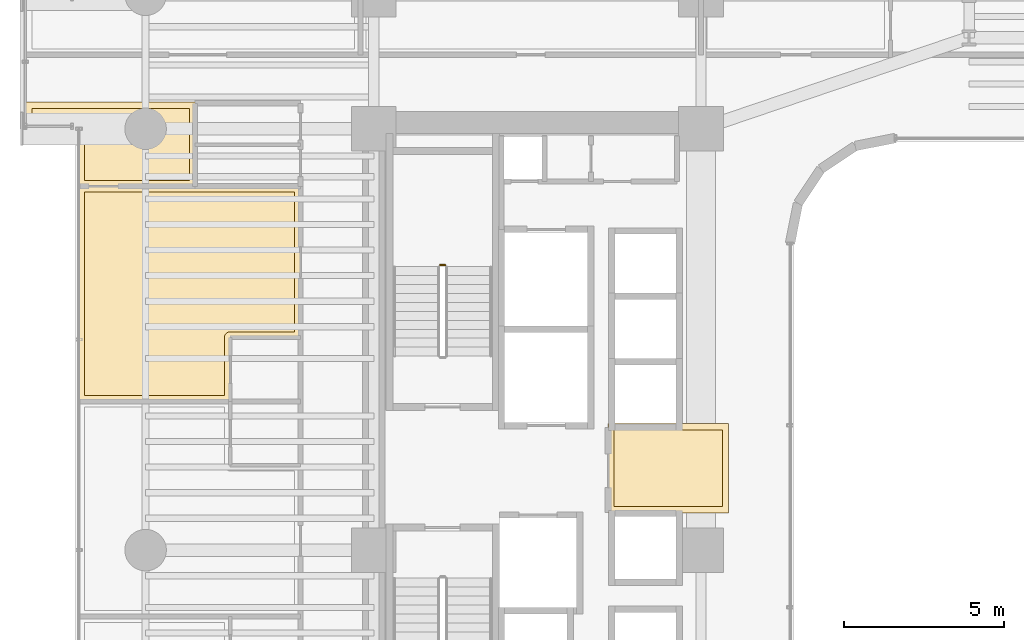
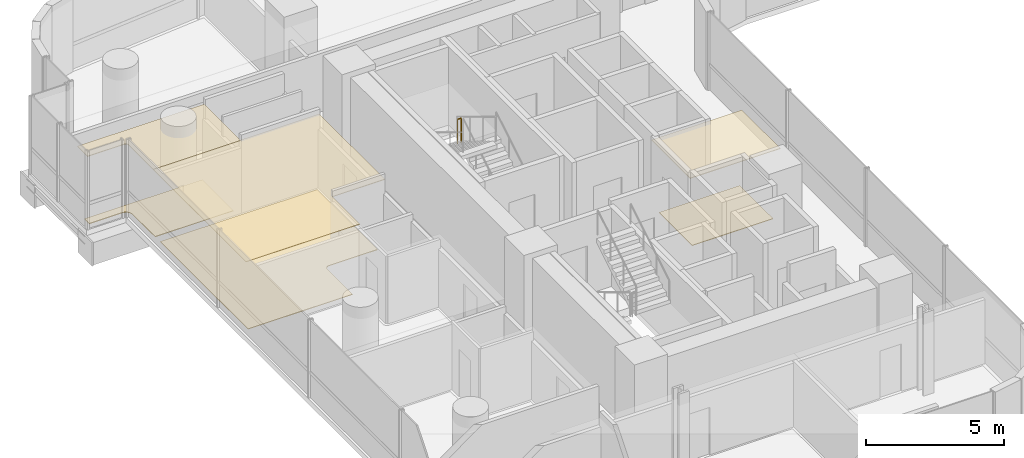
# One storey, part 38 of 41: 6 coverings, 1 railing.
"""IFC4 building model written with IfcOpenShell, lengths in metres."""

from ifc_helpers import new_model, si_unit, direction, frame, origin, origin_2d, place, context, subcontext, project, spatial, polyline, circle, outline, extrude, material, layer, layer_set, type_object, element, save


model = new_model("IFC4")

# Units and contexts
model_context = context("Model", 3, precision=1e-05, world=origin(), true_north=direction((0.0, 1.0)))
body_context = subcontext(model_context, "Body", "Model", "MODEL_VIEW")
ifc_project = project(units=[si_unit("LENGTHUNIT", "METRE"), si_unit("AREAUNIT", "SQUARE_METRE"), si_unit("VOLUMEUNIT", "CUBIC_METRE"), si_unit("PLANEANGLEUNIT", "RADIAN"), si_unit("MASSUNIT", "GRAM", prefix="KILO")], contexts=[model_context])

# Site, building, storey
site_placement = place(None, origin())
site = spatial("IfcSite", under=ifc_project, at=site_placement, CompositionType="ELEMENT")
building_placement = place(site_placement, origin())
building = spatial("IfcBuilding", under=site, at=building_placement, Name="Valdorenza Pilgrim Sanctuary Tower", CompositionType="ELEMENT")
storey_placement = place(building_placement, frame((0.0, 0.0, 88.89990234375)))
storey = spatial("IfcBuildingStorey", under=building, at=storey_placement, Name="L22", CompositionType="ELEMENT", Elevation=88.89990234375)

# Coverings
ifc_material_1 = material(Name="Micro-perforated acoustic mineral ceiling tile", Category="gypsum")
ifc_layer_1 = layer(ifc_material_1, 0.02490234375, Name="Micro-perforated acoustic mineral ceiling tile")
ifc_layer_set_1 = layer_set([ifc_layer_1], Name="Micro-perforated acoustic mineral ceiling tile")
covering_type_1 = type_object("IfcCoveringType", Name="COV-CLG-ACU", PredefinedType="CEILING", material=ifc_layer_set_1)
covering_1_placement = place(storey_placement, frame((0.0, 0.0, 3.16015625)))
element("IfcCovering", 1, at=covering_1_placement, inside=storey, type_object=covering_type_1, Name="L22 Core A Passenger Lift Lobby Acoustic Ceiling", PredefinedType="CEILING", context=body_context, shape_type="SweptSolid", body=[
    extrude(outline(polyline([(-15.31298828125, 1.244384765625), (-15.31298828125, 1.24462890625), (-15.313720703125, 1.24609375), (-15.314208984375, 1.24755859375), (-15.314697265625, 1.2490234375), (-15.31494140625, 1.25048828125), (-15.31494140625, 1.251953125), (-15.31494140625, 1.35009765625), (-15.31494140625, 1.3515625), (-15.314697265625, 1.352783203125), (-15.314453125, 1.3544921875), (-15.31396484375, 1.355712890625), (-15.313232421875, 1.357177734375), (-15.3125, 1.3583984375), (-15.3115234375, 1.359619140625), (-15.310546875, 1.360595703125), (-15.3095703125, 1.361572265625), (-15.308349609375, 1.362548828125), (-15.30712890625, 1.36328125), (-15.3056640625, 1.364013671875), (-15.304443359375, 1.364501953125), (-15.302978515625, 1.36474609375), (-15.301513671875, 1.364990234375), (-15.300048828125, 1.364990234375), (-15.10205078125, 1.364990234375), (-15.1005859375, 1.364990234375), (-15.09912109375, 1.36474609375), (-15.097412109375, 1.3642578125), (-15.09619140625, 1.36376953125), (-15.0947265625, 1.363037109375), (-15.094482421875, 1.363037109375), (-13.185546875, 1.363037109375), (-13.185302734375, 1.363037109375), (-13.183837890625, 1.36376953125), (-13.1826171875, 1.3642578125), (-13.180908203125, 1.36474609375), (-13.179443359375, 1.364990234375), (-13.177978515625, 1.364990234375), (-11.550048828125, 1.364990234375), (-11.548583984375, 1.364990234375), (-11.547119140625, 1.36474609375), (-11.545654296875, 1.364501953125), (-11.544189453125, 1.364013671875), (-11.54296875, 1.36328125), (-11.541748046875, 1.362548828125), (-11.54052734375, 1.361572265625), (-11.539306640625, 1.360595703125), (-11.538330078125, 1.359619140625), (-11.53759765625, 1.3583984375), (-11.536865234375, 1.357177734375), (-11.5361328125, 1.355712890625), (-11.53564453125, 1.3544921875), (-11.535400390625, 1.352783203125), (-11.53515625, 1.3515625), (-11.534912109375, 1.35009765625), (-11.534912109375, -1.419921875), (-11.53515625, -1.42138671875), (-11.535400390625, -1.4228515625), (-11.53564453125, -1.42431640625), (-11.5361328125, -1.42578125), (-11.536865234375, -1.427001953125), (-11.53759765625, -1.42822265625), (-11.538330078125, -1.429443359375), (-11.539306640625, -1.4306640625), (-11.54052734375, -1.431640625), (-11.541748046875, -1.4326171875), (-11.54296875, -1.43310546875), (-11.544189453125, -1.433837890625), (-11.545654296875, -1.434326171875), (-11.547119140625, -1.434814453125), (-11.548583984375, -1.434814453125), (-11.550048828125, -1.43505859375), (-15.298095703125, -1.43505859375), (-15.299560546875, -1.434814453125), (-15.30078125, -1.434814453125), (-15.302490234375, -1.434326171875), (-15.3037109375, -1.433837890625), (-15.30517578125, -1.43310546875), (-15.306396484375, -1.4326171875), (-15.3076171875, -1.431640625), (-15.30859375, -1.4306640625), (-15.3095703125, -1.429443359375), (-15.310546875, -1.42822265625), (-15.311279296875, -1.427001953125), (-15.31201171875, -1.42578125), (-15.3125, -1.42431640625), (-15.312744140625, -1.4228515625), (-15.31298828125, -1.42138671875), (-15.31298828125, -1.419921875), (-15.31298828125, 1.244384765625)])), origin(), (0.0, 0.0, 1.0), 0.02490234375),
])
covering_2_placement = place(storey_placement, frame((0.0, 0.0, 3.16015625)))
element("IfcCovering", 2, at=covering_2_placement, inside=storey, type_object=covering_type_1, Name="L22 Pilgrim Scholar Office L22-WN Acoustic Ceiling", PredefinedType="CEILING", context=body_context, shape_type="SweptSolid", body=[
    extrude(outline(polyline([(-28.237060546875, 11.39453125), (-28.237060546875, 10.103759765625), (-28.23681640625, 10.10302734375), (-28.23681640625, 10.1015625), (-28.23681640625, 10.10009765625), (-28.23681640625, 10.098388671875), (-28.237060546875, 10.09814453125), (-28.237060546875, 8.800048828125), (-28.237060546875, 8.798583984375), (-28.2373046875, 8.797119140625), (-28.237548828125, 8.795654296875), (-28.238037109375, 8.794189453125), (-28.23876953125, 8.79296875), (-28.239501953125, 8.791748046875), (-28.240478515625, 8.79052734375), (-28.241455078125, 8.789306640625), (-28.242431640625, 8.788330078125), (-28.24365234375, 8.78759765625), (-28.244873046875, 8.786865234375), (-28.246337890625, 8.7861328125), (-28.24755859375, 8.78564453125), (-28.2490234375, 8.785400390625), (-28.25048828125, 8.78515625), (-28.251953125, 8.784912109375), (-31.889892578125, 8.784912109375), (-31.8916015625, 8.78515625), (-31.892822265625, 8.785400390625), (-31.894287109375, 8.78564453125), (-31.895751953125, 8.7861328125), (-31.897216796875, 8.786865234375), (-31.898193359375, 8.78759765625), (-31.8994140625, 8.788330078125), (-31.900634765625, 8.789306640625), (-31.901611328125, 8.79052734375), (-31.902587890625, 8.791748046875), (-31.9033203125, 8.79296875), (-31.90380859375, 8.794189453125), (-31.904296875, 8.795654296875), (-31.90478515625, 8.797119140625), (-31.90478515625, 8.798583984375), (-31.905029296875, 8.800048828125), (-31.905029296875, 10.599609375), (-31.905517578125, 10.609375), (-31.90673828125, 10.618408203125), (-31.9091796875, 10.627685546875), (-31.912109375, 10.63623046875), (-31.916259765625, 10.644775390625), (-31.9208984375, 10.65283203125), (-31.926513671875, 10.660400390625), (-31.932861328125, 10.667236328125), (-31.939697265625, 10.67333984375), (-31.947265625, 10.678955078125), (-31.955078125, 10.683837890625), (-31.963623046875, 10.687744140625), (-31.972412109375, 10.69091796875), (-31.9814453125, 10.693115234375), (-31.99072265625, 10.694580078125), (-32.00048828125, 10.695068359375), (-33.5400390625, 10.695068359375), (-33.54150390625, 10.695068359375), (-33.54296875, 10.6953125), (-33.54443359375, 10.695556640625), (-33.545654296875, 10.696044921875), (-33.547119140625, 10.69677734375), (-33.54833984375, 10.697509765625), (-33.549560546875, 10.698486328125), (-33.550537109375, 10.699462890625), (-33.551513671875, 10.700439453125), (-33.552490234375, 10.70166015625), (-33.55322265625, 10.702880859375), (-33.553955078125, 10.704345703125), (-33.554443359375, 10.70556640625), (-33.5546875, 10.70703125), (-33.554931640625, 10.70849609375), (-33.554931640625, 10.7099609375), (-33.554931640625, 11.419921875), (-33.554931640625, 11.42138671875), (-33.5546875, 11.4228515625), (-33.554443359375, 11.42431640625), (-33.553955078125, 11.42578125), (-33.55322265625, 11.427001953125), (-33.552490234375, 11.42822265625), (-33.551513671875, 11.429443359375), (-33.550537109375, 11.4306640625), (-33.549560546875, 11.431640625), (-33.54833984375, 11.4326171875), (-33.547119140625, 11.43310546875), (-33.545654296875, 11.433837890625), (-33.54443359375, 11.434326171875), (-33.54296875, 11.434814453125), (-33.54150390625, 11.434814453125), (-33.5400390625, 11.43505859375), (-28.25, 11.43505859375), (-28.24853515625, 11.434814453125), (-28.2470703125, 11.434814453125), (-28.24560546875, 11.434326171875), (-28.244384765625, 11.433837890625), (-28.242919921875, 11.43310546875), (-28.24169921875, 11.4326171875), (-28.240478515625, 11.431640625), (-28.239501953125, 11.4306640625), (-28.23828125, 11.429443359375), (-28.237548828125, 11.42822265625), (-28.23681640625, 11.427001953125), (-28.236083984375, 11.42578125), (-28.235595703125, 11.42431640625), (-28.2353515625, 11.4228515625), (-28.235107421875, 11.42138671875), (-28.235107421875, 11.419921875), (-28.235107421875, 11.402099609375), (-28.235107421875, 11.400390625), (-28.2353515625, 11.39892578125), (-28.235595703125, 11.3974609375), (-28.236083984375, 11.39599609375), (-28.23681640625, 11.394775390625), (-28.237060546875, 11.39453125)])), origin(), (0.0, 0.0, 1.0), 0.02490234375),
])
covering_3_placement = place(storey_placement, frame((0.0, 0.0, 3.16015625)))
element("IfcCovering", 3, at=covering_3_placement, inside=storey, type_object=covering_type_1, Name="L22 Sanctuary Guest Room L22-W3 Acoustic Ceiling", PredefinedType="CEILING", context=body_context, shape_type="SweptSolid", body=[
    extrude(outline(polyline([(-28.253662109375, 8.81298828125), (-28.253173828125, 8.81298828125), (-28.25146484375, 8.813232421875), (-28.25, 8.813232421875), (-28.24853515625, 8.81298828125), (-28.248291015625, 8.81298828125), (-24.949951171875, 8.81298828125), (-24.948486328125, 8.81298828125), (-24.947021484375, 8.812744140625), (-24.945556640625, 8.8125), (-24.9443359375, 8.81201171875), (-24.94287109375, 8.811279296875), (-24.941650390625, 8.810546875), (-24.9404296875, 8.8095703125), (-24.939453125, 8.80859375), (-24.9384765625, 8.8076171875), (-24.9375, 8.806396484375), (-24.936767578125, 8.80517578125), (-24.93603515625, 8.8037109375), (-24.935546875, 8.802490234375), (-24.935302734375, 8.80078125), (-24.93505859375, 8.799560546875), (-24.93505859375, 8.798095703125), (-24.93505859375, 4.06201171875), (-24.93505859375, 4.060546875), (-24.935302734375, 4.05908203125), (-24.935546875, 4.0576171875), (-24.93603515625, 4.056396484375), (-24.936767578125, 4.054931640625), (-24.9375, 4.0537109375), (-24.9384765625, 4.052490234375), (-24.939453125, 4.051513671875), (-24.9404296875, 4.05029296875), (-24.941650390625, 4.049560546875), (-24.94287109375, 4.048828125), (-24.9443359375, 4.048095703125), (-24.945556640625, 4.047607421875), (-24.947021484375, 4.04736328125), (-24.948486328125, 4.047119140625), (-24.949951171875, 4.047119140625), (-27.136962890625, 4.047119140625), (-27.136962890625, 2.06201171875), (-27.13720703125, 2.060546875), (-27.13720703125, 2.05908203125), (-27.1376953125, 2.0576171875), (-27.13818359375, 2.056396484375), (-27.138916015625, 2.054931640625), (-27.139404296875, 2.0537109375), (-27.140380859375, 2.052490234375), (-27.141357421875, 2.051513671875), (-27.142578125, 2.05029296875), (-27.143798828125, 2.049560546875), (-27.14501953125, 2.048828125), (-27.146240234375, 2.048095703125), (-27.147705078125, 2.047607421875), (-27.149169921875, 2.04736328125), (-27.150390625, 2.047119140625), (-27.152099609375, 2.047119140625), (-31.889892578125, 2.047119140625), (-31.8916015625, 2.047119140625), (-31.892822265625, 2.04736328125), (-31.894287109375, 2.047607421875), (-31.895751953125, 2.048095703125), (-31.897216796875, 2.048828125), (-31.898193359375, 2.049560546875), (-31.8994140625, 2.05029296875), (-31.900634765625, 2.051513671875), (-31.901611328125, 2.052490234375), (-31.902587890625, 2.0537109375), (-31.9033203125, 2.054931640625), (-31.90380859375, 2.056396484375), (-31.904296875, 2.0576171875), (-31.90478515625, 2.05908203125), (-31.90478515625, 2.060546875), (-31.905029296875, 2.06201171875), (-31.905029296875, 8.798095703125), (-31.90478515625, 8.799560546875), (-31.90478515625, 8.80078125), (-31.904296875, 8.802490234375), (-31.90380859375, 8.8037109375), (-31.9033203125, 8.80517578125), (-31.902587890625, 8.806396484375), (-31.901611328125, 8.8076171875), (-31.900634765625, 8.80859375), (-31.8994140625, 8.8095703125), (-31.898193359375, 8.810546875), (-31.897216796875, 8.811279296875), (-31.895751953125, 8.81201171875), (-31.894287109375, 8.8125), (-31.892822265625, 8.812744140625), (-31.8916015625, 8.81298828125), (-31.889892578125, 8.81298828125), (-28.253662109375, 8.81298828125)])), origin(), (0.0, 0.0, 1.0), 0.02490234375),
])
ifc_material_2 = material(Name="Engineered European oak timber flooring", Category="wood")
ifc_layer_2 = layer(ifc_material_2, 0.02197265625, Name="Engineered European oak timber flooring")
ifc_layer_set_2 = layer_set([ifc_layer_2], Name="Engineered European oak timber flooring")
covering_type_2 = type_object("IfcCoveringType", Name="COV-FLR-OAK", PredefinedType="FLOORING", material=ifc_layer_set_2)
covering_4_placement = place(storey_placement, origin())
element("IfcCovering", 4, at=covering_4_placement, inside=storey, type_object=covering_type_2, Name="L22 Sanctuary Guest Room L22-W3 Flooring", PredefinedType="FLOORING", context=body_context, shape_type="SweptSolid", body=[
    extrude(outline(polyline([(-28.250244140625, 8.617919921875), (-28.25, 8.617919921875), (-25.1298828125, 8.617919921875), (-25.1298828125, 4.241943359375), (-27.14990234375, 4.241943359375), (-27.15869140625, 4.24169921875), (-27.158935546875, 4.24169921875), (-27.176513671875, 4.239990234375), (-27.1767578125, 4.239990234375), (-27.194091796875, 4.236572265625), (-27.1943359375, 4.236572265625), (-27.211181640625, 4.2314453125), (-27.21142578125, 4.231201171875), (-27.227783203125, 4.224609375), (-27.227783203125, 4.224609375), (-27.243408203125, 4.21630859375), (-27.24365234375, 4.216064453125), (-27.25830078125, 4.206298828125), (-27.258544921875, 4.2060546875), (-27.272216796875, 4.19482421875), (-27.272216796875, 4.19482421875), (-27.284912109375, 4.182373046875), (-27.284912109375, 4.18212890625), (-27.296142578125, 4.16845703125), (-27.296142578125, 4.168212890625), (-27.30615234375, 4.153564453125), (-27.30615234375, 4.153564453125), (-27.314453125, 4.137939453125), (-27.314697265625, 4.1376953125), (-27.3212890625, 4.121337890625), (-27.3212890625, 4.12109375), (-27.326416015625, 4.104248046875), (-27.32666015625, 4.10400390625), (-27.330078125, 4.0869140625), (-27.330078125, 4.086669921875), (-27.331787109375, 4.069091796875), (-27.331787109375, 4.06884765625), (-27.33203125, 4.06005859375), (-27.33203125, 2.241943359375), (-31.7099609375, 2.241943359375), (-31.7099609375, 8.617919921875), (-28.251953125, 8.617919921875), (-28.2509765625, 8.617919921875), (-28.250244140625, 8.617919921875)])), origin(), (0.0, 0.0, 1.0), 0.025146484375),
])
ifc_material_3 = material(Name="Honed travertine stone flooring", Category="masonry")
ifc_layer_3 = layer(ifc_material_3, 0.030029296875, Name="Honed travertine stone flooring")
ifc_layer_set_3 = layer_set([ifc_layer_3], Name="Honed travertine stone flooring")
covering_type_3 = type_object("IfcCoveringType", Name="COV-FLR-TRV", PredefinedType="FLOORING", material=ifc_layer_set_3)
covering_5_placement = place(storey_placement, origin())
element("IfcCovering", 5, at=covering_5_placement, inside=storey, type_object=covering_type_3, Name="L22 Core A Passenger Lift Lobby Flooring", PredefinedType="FLOORING", context=body_context, shape_type="SweptSolid", body=[
    extrude(outline(polyline([(-15.117919921875, 1.169189453125), (-15.10888671875, 1.168212890625), (-15.10888671875, 1.168212890625), (-15.10009765625, 1.16796875), (-13.179931640625, 1.16796875), (-13.1796875, 1.16796875), (-11.72998046875, 1.169921875), (-11.72998046875, -1.239990234375), (-15.117919921875, -1.239990234375), (-15.117919921875, 1.169189453125)])), origin(), (0.0, 0.0, 1.0), 0.025146484375),
])
covering_6_placement = place(storey_placement, origin())
element("IfcCovering", 6, at=covering_6_placement, inside=storey, type_object=covering_type_3, Name="L22 Pilgrim Scholar Office L22-WN Flooring", PredefinedType="FLOORING", context=body_context, shape_type="SweptSolid", body=[
    extrude(outline(polyline([(-28.431884765625, 11.239990234375), (-28.431884765625, 10.10205078125), (-28.431884765625, 10.10107421875), (-28.431884765625, 10.100341796875), (-28.431884765625, 10.10009765625), (-28.431884765625, 8.97998046875), (-31.7099609375, 8.97998046875), (-31.7099609375, 10.60009765625), (-31.710205078125, 10.60888671875), (-31.710693359375, 10.61962890625), (-31.71240234375, 10.63720703125), (-31.714111328125, 10.64794921875), (-31.717529296875, 10.665283203125), (-31.72021484375, 10.67578125), (-31.725341796875, 10.692626953125), (-31.72900390625, 10.70263671875), (-31.735595703125, 10.718994140625), (-31.740234375, 10.728759765625), (-31.74853515625, 10.744384765625), (-31.754150390625, 10.753662109375), (-31.763916015625, 10.768310546875), (-31.7705078125, 10.777099609375), (-31.781494140625, 10.790771484375), (-31.788818359375, 10.798583984375), (-31.80126953125, 10.811279296875), (-31.809326171875, 10.818359375), (-31.822998046875, 10.82958984375), (-31.831787109375, 10.8359375), (-31.84619140625, 10.845947265625), (-31.855712890625, 10.851318359375), (-31.87109375, 10.859619140625), (-31.880859375, 10.8642578125), (-31.897216796875, 10.87109375), (-31.907470703125, 10.874755859375), (-31.92431640625, 10.8798828125), (-31.934814453125, 10.882568359375), (-31.9521484375, 10.885986328125), (-31.962890625, 10.887451171875), (-31.98046875, 10.889404296875), (-31.9912109375, 10.889892578125), (-32.0, 10.889892578125), (-33.360107421875, 10.889892578125), (-33.360107421875, 11.239990234375), (-28.431884765625, 11.239990234375)])), origin(), (0.0, 0.0, 1.0), 0.025146484375),
])

# Railing
ifc_material_4 = material(Name="Stainless steel Grade 316", Category="steel")
railing_type = type_object("IfcRailingType", Name="RLG-GRD-1120", PredefinedType="GUARDRAIL", material=ifc_material_4)
railing_placement = place(storey_placement, frame((-20.419921875, 6.330078125, 1.85009765625)))
element("IfcRailing", 7, at=railing_placement, inside=storey, type_object=railing_type, Name="L22 ST-A1 stair guard 2", PredefinedType="GUARDRAIL", context=body_context, shape_type="SweptSolid", body=[
    extrude(circle(Radius=0.02392578125, at=origin_2d()), frame((0.0, 0.0, 1.076171875), z_axis=(-1.0, 0.0, 0.0), x_axis=(0.0, -1.0, 0.0)), (0.0, 0.0, 1.0), 0.150146484375),
    extrude(circle(Radius=0.02099609375, at=origin_2d()), origin(), (0.0, 0.0, 1.0), 1.052001953125),
    extrude(circle(Radius=0.02099609375, at=origin_2d()), frame((-0.150146484375, 0.0, 0.0)), (0.0, 0.0, 1.0), 1.052001953125),
])

save(model, "model.ifc")
